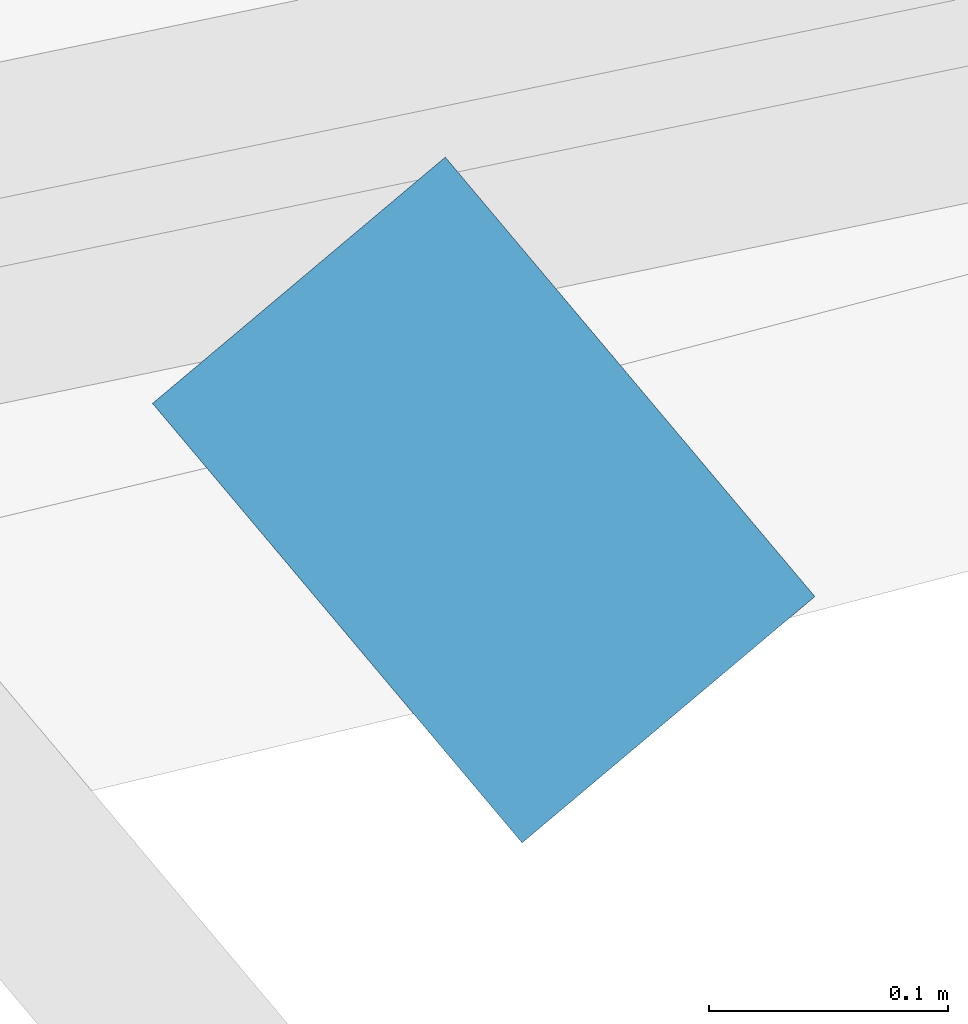
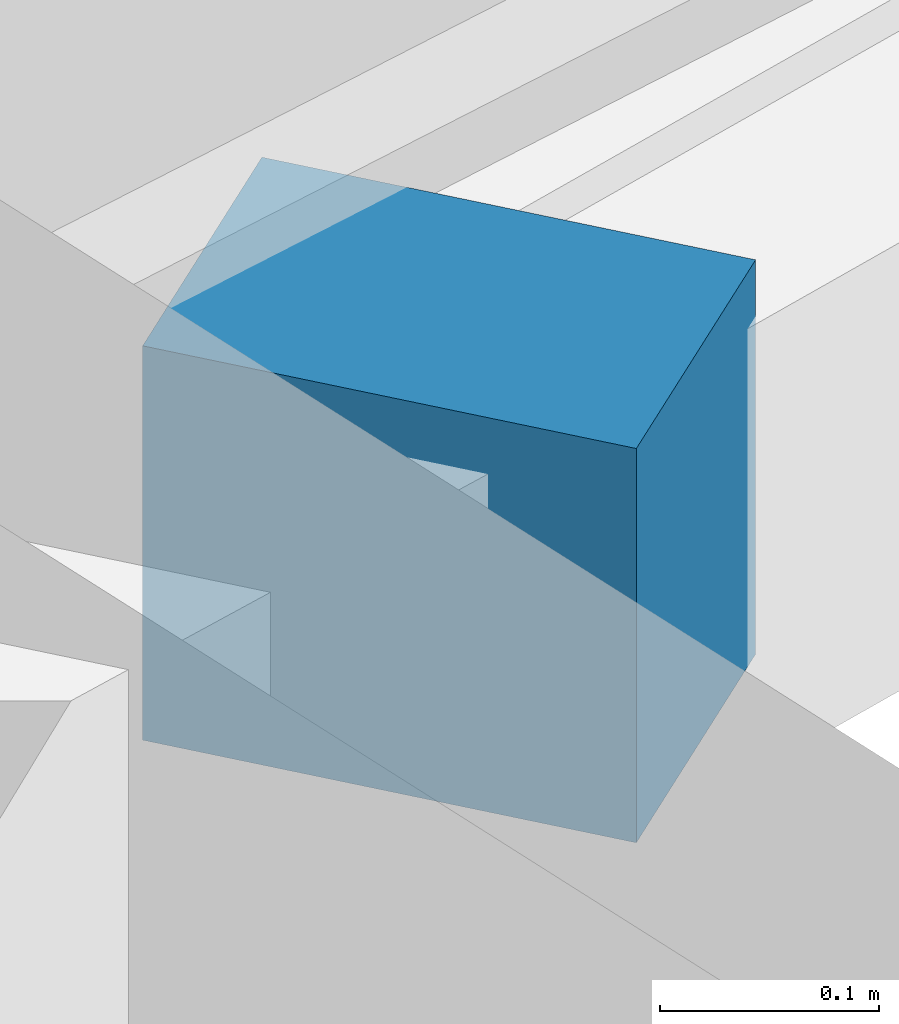
# One storey, part 11 of 16: 1 discrete accessory.
"""IFC4 building model written with IfcOpenShell, lengths in metres."""

from ifc_helpers import new_model, si_unit, direction, frame, origin, origin_2d, place, context, subcontext, project, spatial, rectangle, extrude, material, type_object, element, save


model = new_model("IFC4")

# Units and contexts
model_context = context("Model", 3, precision=1e-05, world=origin(), true_north=direction((0.0, 1.0)))
body_context = subcontext(model_context, "Body", "Model", "MODEL_VIEW")
ifc_project = project(units=[si_unit("LENGTHUNIT", "METRE"), si_unit("AREAUNIT", "SQUARE_METRE"), si_unit("VOLUMEUNIT", "CUBIC_METRE"), si_unit("PLANEANGLEUNIT", "RADIAN"), si_unit("MASSUNIT", "GRAM", prefix="KILO")], contexts=[model_context])

# Site, building, storey
site_placement = place(None, origin())
site = spatial("IfcSite", under=ifc_project, at=site_placement, CompositionType="ELEMENT")
building_placement = place(site_placement, origin())
building = spatial("IfcBuilding", under=site, at=building_placement, Name="Savorim Split Tower", CompositionType="ELEMENT")
storey_placement = place(building_placement, frame((0.0, 0.0, 51.60009765625)))
storey = spatial("IfcBuildingStorey", under=building, at=storey_placement, Name="L13", CompositionType="ELEMENT", Elevation=51.60009765625)

# Discrete accessory
ifc_material = material(Name="Steel S355", Category="steel")
discrete_accessory_type = type_object("IfcDiscreteAccessoryType", Name="ACC-BRK-FIN", PredefinedType="BRACKET", material=ifc_material)
discrete_accessory_placement = place(storey_placement, frame((25.611572265625, -19.10986328125, -0.18994140625), z_axis=(0.0, 0.0, 1.0), x_axis=(0.643719022682, -0.765261928909, 0.0)))
element("IfcDiscreteAccessory", 1, at=discrete_accessory_placement, inside=storey, type_object=discrete_accessory_type, Name="L13 Fin Slab-Edge Cleat Bracket 13", PredefinedType="BRACKET", context=body_context, shape_type="SweptSolid", body=[
    extrude(rectangle(XDim=0.239990234375, YDim=0.159912109375, at=origin_2d()), origin(), (0.0, 0.0, 1.0), 0.219970703125),
])

save(model, "model.ifc")
